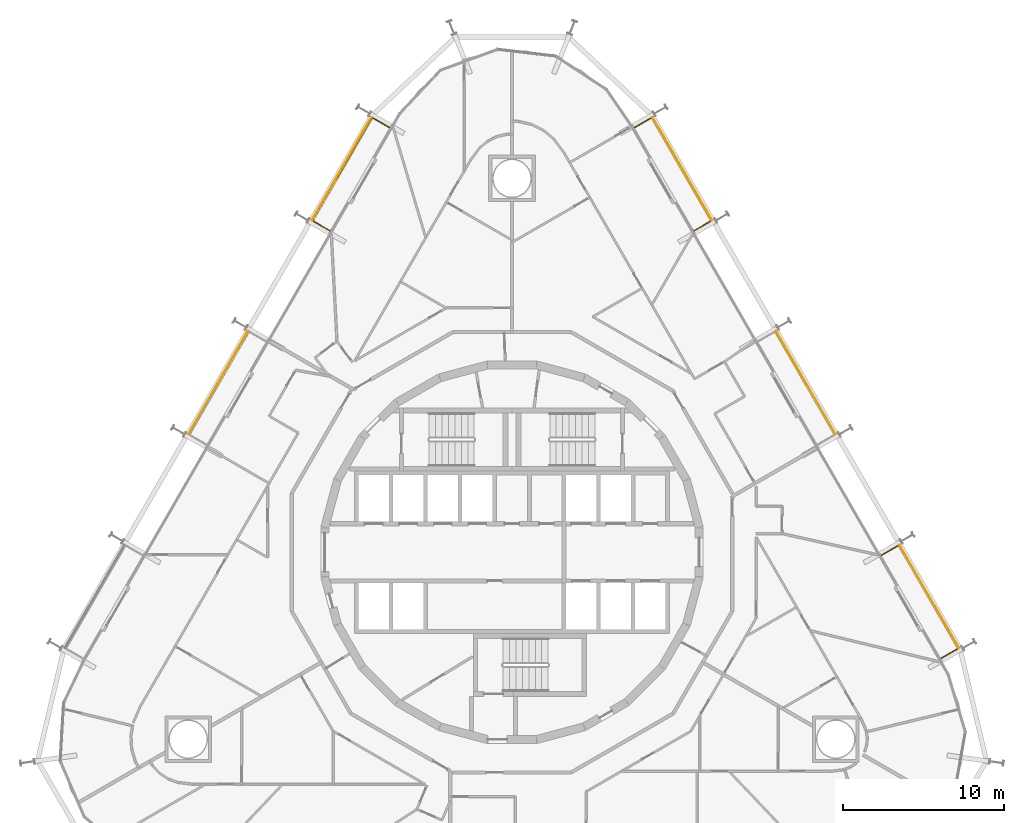
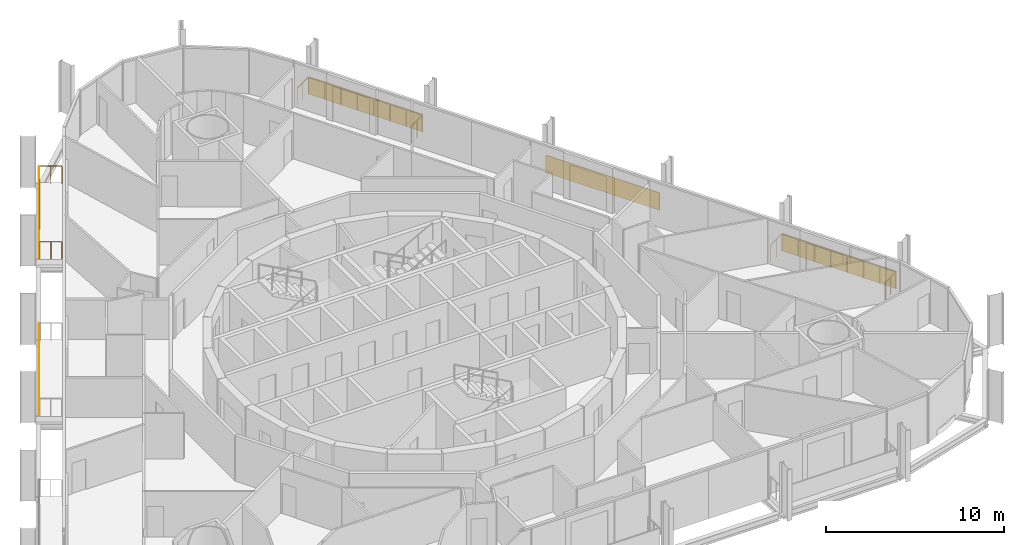
# One storey, part 21 of 21: 5 shading devices, 3 railings.
"""IFC4 building model written with IfcOpenShell, lengths in metres."""

from ifc_helpers import new_model, si_unit, direction, frame, origin, origin_2d, place, context, subcontext, project, spatial, rectangle, circle, extrude, material, layer, layer_set, type_object, element, save


model = new_model("IFC4")

# Units and contexts
model_context = context("Model", 3, precision=1e-05, world=origin(), true_north=direction((0.0, 1.0)))
body_context = subcontext(model_context, "Body", "Model", "MODEL_VIEW")
ifc_project = project(units=[si_unit("LENGTHUNIT", "METRE"), si_unit("AREAUNIT", "SQUARE_METRE"), si_unit("VOLUMEUNIT", "CUBIC_METRE"), si_unit("PLANEANGLEUNIT", "RADIAN"), si_unit("MASSUNIT", "GRAM", prefix="KILO")], contexts=[model_context])

# Site, building, storey
site_placement = place(None, origin())
site = spatial("IfcSite", under=ifc_project, at=site_placement, CompositionType="ELEMENT")
building_placement = place(site_placement, origin())
building = spatial("IfcBuilding", under=site, at=building_placement, Name="Spindle Arch Residences", CompositionType="ELEMENT")
storey_placement = place(building_placement, frame((0.0, 0.0, 48.89990234375)))
storey = spatial("IfcBuildingStorey", under=building, at=storey_placement, Name="L10", CompositionType="ELEMENT", Elevation=48.89990234375)

# Railings
ifc_material_1 = material(Name="Bronze anodised aluminium guard with glass infill", Category="aluminium")
railing_type = type_object("IfcRailingType", Name="Balcony guard 1200", PredefinedType="GUARDRAIL", material=ifc_material_1)
railing_1_placement = place(storey_placement, frame((26.697021484375, -6.60107421875, 0.0)))
element("IfcRailing", 1, at=railing_1_placement, inside=storey, type_object=railing_type, Name="Guard L10 bay 6", PredefinedType="GUARDRAIL", context=body_context, shape_type="SweptSolid", body=[
    extrude(circle(Radius=0.02392578125, at=origin_2d()), frame((0.0, 0.0, 1.17578125), z_axis=(0.866071776036, 0.499919672301, 0.0), x_axis=(-0.499919672301, 0.866071776036, 0.0)), (0.0, 0.0, 1.0), 1.250244140625),
    extrude(circle(Radius=0.02392578125, at=origin_2d()), frame((1.082763671875, 0.625, 1.17578125), z_axis=(-0.499994337101, 0.866028673236, 0.0), x_axis=(-0.866028673236, -0.499994337101, 0.0)), (0.0, 0.0, 1.0), 7.41015625),
    extrude(circle(Radius=0.02392578125, at=origin_2d()), frame((-2.622314453125, 7.04248046875, 1.17578125), z_axis=(-0.866022959057, -0.500004234368, 0.0), x_axis=(0.500004234368, -0.866022959057, 0.0)), (0.0, 0.0, 1.0), 1.25),
    extrude(circle(Radius=0.02099609375, at=origin_2d()), origin(), (0.0, 0.0, 1.0), 1.15185546875),
    extrude(circle(Radius=0.02099609375, at=origin_2d()), frame((0.54150390625, 0.3125, 0.0)), (0.0, 0.0, 1.0), 1.15185546875),
    extrude(circle(Radius=0.02099609375, at=origin_2d()), frame((1.082763671875, 0.625, 0.0)), (0.0, 0.0, 1.0), 1.15185546875),
    extrude(circle(Radius=0.02099609375, at=origin_2d()), frame((0.553466796875, 1.541748046875, 0.0)), (0.0, 0.0, 1.0), 1.15185546875),
    extrude(circle(Radius=0.02099609375, at=origin_2d()), frame((0.024169921875, 2.45849609375, 0.0)), (0.0, 0.0, 1.0), 1.15185546875),
    extrude(circle(Radius=0.02099609375, at=origin_2d()), frame((-0.505126953125, 3.375244140625, 0.0)), (0.0, 0.0, 1.0), 1.15185546875),
    extrude(circle(Radius=0.02099609375, at=origin_2d()), frame((-1.034423828125, 4.292236328125, 0.0)), (0.0, 0.0, 1.0), 1.15185546875),
    extrude(circle(Radius=0.02099609375, at=origin_2d()), frame((-1.563720703125, 5.208984375, 0.0)), (0.0, 0.0, 1.0), 1.15185546875),
    extrude(circle(Radius=0.02099609375, at=origin_2d()), frame((-2.093017578125, 6.125732421875, 0.0)), (0.0, 0.0, 1.0), 1.15185546875),
    extrude(circle(Radius=0.02099609375, at=origin_2d()), frame((-2.622314453125, 7.04248046875, 0.0)), (0.0, 0.0, 1.0), 1.15185546875),
    extrude(circle(Radius=0.02099609375, at=origin_2d()), frame((-3.16357421875, 6.72998046875, 0.0)), (0.0, 0.0, 1.0), 1.15185546875),
    extrude(circle(Radius=0.02099609375, at=origin_2d()), frame((-3.704833984375, 6.41748046875, 0.0)), (0.0, 0.0, 1.0), 1.15185546875),
])
railing_2_placement = place(storey_placement, frame((11.3369140625, 20.003662109375, 0.0)))
element("IfcRailing", 2, at=railing_2_placement, inside=storey, type_object=railing_type, Name="Guard L10 bay 10", PredefinedType="GUARDRAIL", context=body_context, shape_type="SweptSolid", body=[
    extrude(circle(Radius=0.02392578125, at=origin_2d()), frame((0.0, 0.0, 1.17578125), z_axis=(0.866022959057, 0.500004234368, 0.0), x_axis=(-0.500004234368, 0.866022959057, 0.0)), (0.0, 0.0, 1.0), 1.25),
    extrude(circle(Radius=0.02392578125, at=origin_2d()), frame((1.08251953125, 0.625, 1.17578125), z_axis=(-0.499983892715, 0.86603470313, 0.0), x_axis=(-0.86603470313, -0.499983892715, 0.0)), (0.0, 0.0, 1.0), 7.409912109375),
    extrude(circle(Radius=0.02392578125, at=origin_2d()), frame((-2.622314453125, 7.042236328125, 1.17578125), z_axis=(-0.866071776036, -0.499919672301, 0.0), x_axis=(0.499919672301, -0.866071776036, 0.0)), (0.0, 0.0, 1.0), 1.250244140625),
    extrude(circle(Radius=0.02099609375, at=origin_2d()), origin(), (0.0, 0.0, 1.0), 1.15185546875),
    extrude(circle(Radius=0.02099609375, at=origin_2d()), frame((0.541259765625, 0.3125, 0.0)), (0.0, 0.0, 1.0), 1.15185546875),
    extrude(circle(Radius=0.02099609375, at=origin_2d()), frame((1.08251953125, 0.625, 0.0)), (0.0, 0.0, 1.0), 1.15185546875),
    extrude(circle(Radius=0.02099609375, at=origin_2d()), frame((0.55322265625, 1.541748046875, 0.0)), (0.0, 0.0, 1.0), 1.15185546875),
    extrude(circle(Radius=0.02099609375, at=origin_2d()), frame((0.02392578125, 2.45849609375, 0.0)), (0.0, 0.0, 1.0), 1.15185546875),
    extrude(circle(Radius=0.02099609375, at=origin_2d()), frame((-0.50537109375, 3.375244140625, 0.0)), (0.0, 0.0, 1.0), 1.15185546875),
    extrude(circle(Radius=0.02099609375, at=origin_2d()), frame((-1.034423828125, 4.2919921875, 0.0)), (0.0, 0.0, 1.0), 1.15185546875),
    extrude(circle(Radius=0.02099609375, at=origin_2d()), frame((-1.563720703125, 5.208740234375, 0.0)), (0.0, 0.0, 1.0), 1.15185546875),
    extrude(circle(Radius=0.02099609375, at=origin_2d()), frame((-2.093017578125, 6.12548828125, 0.0)), (0.0, 0.0, 1.0), 1.15185546875),
    extrude(circle(Radius=0.02099609375, at=origin_2d()), frame((-2.622314453125, 7.042236328125, 0.0)), (0.0, 0.0, 1.0), 1.15185546875),
    extrude(circle(Radius=0.02099609375, at=origin_2d()), frame((-3.16357421875, 6.729736328125, 0.0)), (0.0, 0.0, 1.0), 1.15185546875),
    extrude(circle(Radius=0.02099609375, at=origin_2d()), frame((-3.705078125, 6.417236328125, 0.0)), (0.0, 0.0, 1.0), 1.15185546875),
])
railing_3_placement = place(storey_placement, frame((-7.6318359375, 26.4208984375, 0.0)))
element("IfcRailing", 3, at=railing_3_placement, inside=storey, type_object=railing_type, Name="Guard L10 bay 14", PredefinedType="GUARDRAIL", context=body_context, shape_type="SweptSolid", body=[
    extrude(circle(Radius=0.02392578125, at=origin_2d()), frame((0.0, 0.0, 1.17578125), z_axis=(-0.866071776036, 0.499919672301, 0.0), x_axis=(-0.499919672301, -0.866071776036, 0.0)), (0.0, 0.0, 1.0), 1.250244140625),
    extrude(circle(Radius=0.02392578125, at=origin_2d()), frame((-1.082763671875, 0.625, 1.17578125), z_axis=(-0.499983892715, -0.86603470313, 0.0), x_axis=(0.86603470313, -0.499983892715, 0.0)), (0.0, 0.0, 1.0), 7.409912109375),
    extrude(circle(Radius=0.02392578125, at=origin_2d()), frame((-4.78759765625, -5.792236328125, 1.17578125), z_axis=(0.866022959057, -0.500004234368, 0.0), x_axis=(0.500004234368, 0.866022959057, 0.0)), (0.0, 0.0, 1.0), 1.25),
    extrude(circle(Radius=0.02099609375, at=origin_2d()), origin(), (0.0, 0.0, 1.0), 1.15185546875),
    extrude(circle(Radius=0.02099609375, at=origin_2d()), frame((-0.54150390625, 0.3125, 0.0)), (0.0, 0.0, 1.0), 1.15185546875),
    extrude(circle(Radius=0.02099609375, at=origin_2d()), frame((-1.082763671875, 0.625, 0.0)), (0.0, 0.0, 1.0), 1.15185546875),
    extrude(circle(Radius=0.02099609375, at=origin_2d()), frame((-1.612060546875, -0.291748046875, 0.0)), (0.0, 0.0, 1.0), 1.15185546875),
    extrude(circle(Radius=0.02099609375, at=origin_2d()), frame((-2.141357421875, -1.20849609375, 0.0)), (0.0, 0.0, 1.0), 1.15185546875),
    extrude(circle(Radius=0.02099609375, at=origin_2d()), frame((-2.670654296875, -2.125244140625, 0.0)), (0.0, 0.0, 1.0), 1.15185546875),
    extrude(circle(Radius=0.02099609375, at=origin_2d()), frame((-3.19970703125, -3.0419921875, 0.0)), (0.0, 0.0, 1.0), 1.15185546875),
    extrude(circle(Radius=0.02099609375, at=origin_2d()), frame((-3.72900390625, -3.958740234375, 0.0)), (0.0, 0.0, 1.0), 1.15185546875),
    extrude(circle(Radius=0.02099609375, at=origin_2d()), frame((-4.25830078125, -4.87548828125, 0.0)), (0.0, 0.0, 1.0), 1.15185546875),
    extrude(circle(Radius=0.02099609375, at=origin_2d()), frame((-4.78759765625, -5.792236328125, 0.0)), (0.0, 0.0, 1.0), 1.15185546875),
    extrude(circle(Radius=0.02099609375, at=origin_2d()), frame((-4.246337890625, -6.104736328125, 0.0)), (0.0, 0.0, 1.0), 1.15185546875),
    extrude(circle(Radius=0.02099609375, at=origin_2d()), frame((-3.705078125, -6.417236328125, 0.0)), (0.0, 0.0, 1.0), 1.15185546875),
])

# Shading devices
ifc_material_2 = material(Name="Bronze perforated cobogo screen")
ifc_layer = layer(ifc_material_2, 0.0390625)
ifc_layer_set = layer_set([ifc_layer], Name="Cobogo screen 1200")
shading_device_type = type_object("IfcShadingDeviceType", Name="Cobogo screen 1200", PredefinedType="USERDEFINED", material=ifc_layer_set)
for number, where, z_axis, x_axis, name in (
    (4, (25.962158203125, -2.7470703125, 0.0), (0.0, 0.0, 1.0), (-0.5, 0.866025403784, 0.0), "Cobogo screen L10 bay 6"),
    (5, (18.2822265625, 10.55517578125, 0.0), (0.0, 0.0, 1.0), (-0.5, 0.866025403784, 0.0), "Cobogo screen L10 bay 8"),
    (6, (10.60205078125, 23.857421875, 0.0), (0.0, 0.0, 1.0), (-0.5, 0.866025403784, 0.0), "Cobogo screen L10 bay 10"),
    (7, (-10.60205078125, 23.857421875, 0.0), (0.0, 0.0, 1.0), (-0.5, -0.866025403784, 0.0), "Cobogo screen L10 bay 14"),
    (8, (-18.2822265625, 10.55517578125, 0.0), (0.0, 0.0, 1.0), (-0.5, -0.866025403784, 0.0), "Cobogo screen L10 bay 16"),
):
    element("IfcShadingDevice", number, at=place(storey_placement, frame(where, z_axis=z_axis, x_axis=x_axis)), inside=storey, type_object=shading_device_type, Name=name, ObjectType="SCREEN", PredefinedType="USERDEFINED", context=body_context, shape_type="SweptSolid", body=[
        extrude(rectangle(XDim=7.41015625, YDim=0.0390625, at=origin_2d()), origin(), (0.0, 0.0, 1.0), 1.199951171875),
    ])

save(model, "model.ifc")
